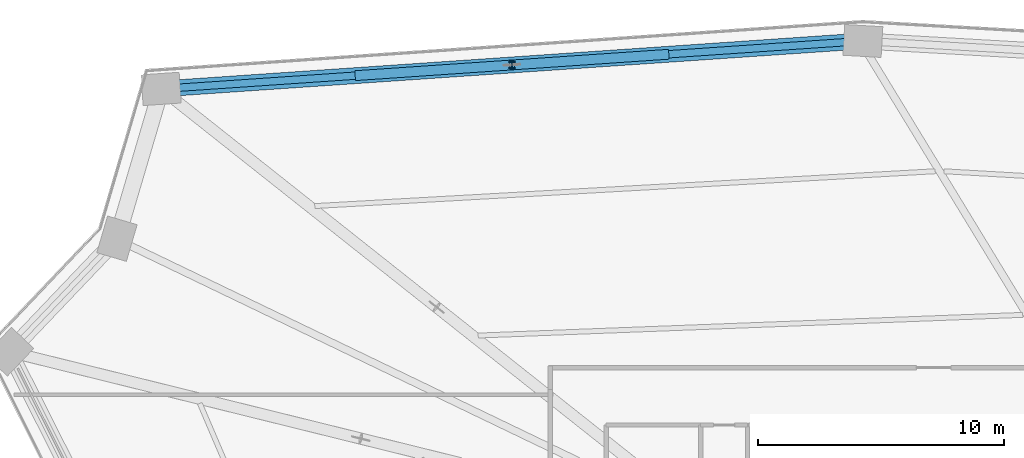
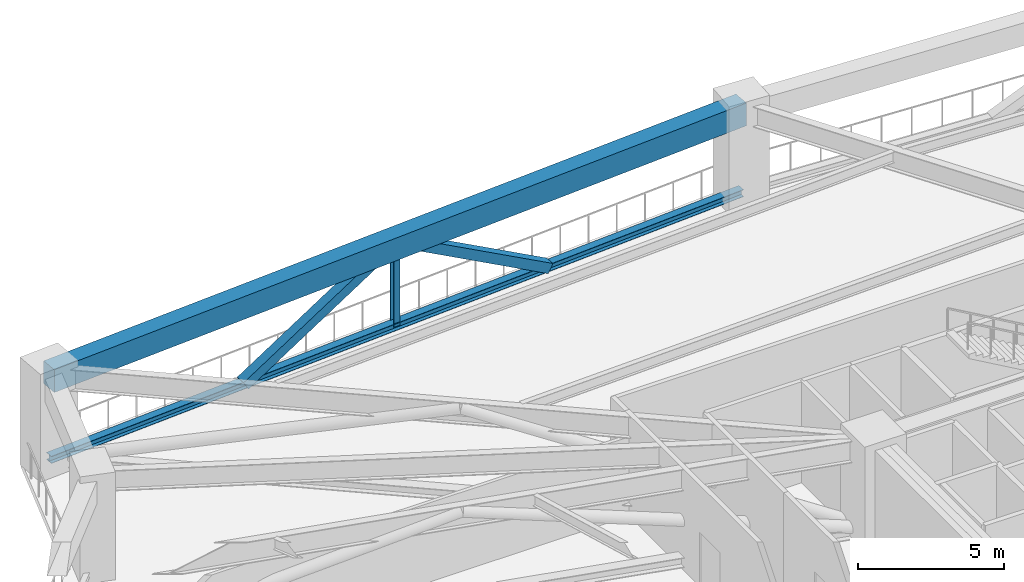
# One storey, part 9 of 25: 4 members, 1 beam.
"""IFC4 building model written with IfcOpenShell, lengths in metres."""

from ifc_helpers import new_model, si_unit, direction, frame, origin, origin_2d, place, context, subcontext, project, spatial, rectangle, hollow_rectangle, i_section, extrude, source, transform, mapped, material, material_profile, profile_set, type_object, element, save


model = new_model("IFC4")

# Units and contexts
model_context = context("Model", 3, precision=1e-05, world=origin(), true_north=direction((0.0, 1.0)))
body_context = subcontext(model_context, "Body", "Model", "MODEL_VIEW")
ifc_project = project(units=[si_unit("LENGTHUNIT", "METRE"), si_unit("AREAUNIT", "SQUARE_METRE"), si_unit("VOLUMEUNIT", "CUBIC_METRE"), si_unit("PLANEANGLEUNIT", "RADIAN"), si_unit("MASSUNIT", "GRAM", prefix="KILO")], contexts=[model_context])

# Site, building, storey
site_placement = place(None, origin())
site = spatial("IfcSite", under=ifc_project, at=site_placement, CompositionType="ELEMENT")
building_placement = place(site_placement, origin())
building = spatial("IfcBuilding", under=site, at=building_placement, Name="Liaohun Quay Tower", CompositionType="ELEMENT")
storey_placement = place(building_placement, frame((0.0, 0.0, 93.0)))
storey = spatial("IfcBuildingStorey", under=building, at=storey_placement, Name="L24", CompositionType="ELEMENT", Elevation=93.0)

# Beam
ifc_material_1 = material(Name="Precast concrete C55", Category="concrete")
ifc_material_profile_1 = material_profile(ifc_material_1, rectangle(XDim=0.64990234375, YDim=0.949951171875, at=origin_2d()), Name="RC650x950")
ifc_profile_set_1 = profile_set([ifc_material_profile_1], Name="Precast concrete C55")
beam_type = type_object("IfcBeamType", Name="BM-SPD-Z1", PredefinedType="SPANDREL", material=ifc_profile_set_1)
shared_shape_1 = source(origin(), body_context, "Body", "SweptSolid", [
    extrude(rectangle(XDim=0.64990234375, YDim=0.949951171875, at=origin_2d()), origin(), (0.0, 0.0, 1.0), 28.553466796875),
])
beam_placement = place(storey_placement, frame((28.636962890625, 79.221923828125, 3.7451171875), z_axis=(0.997674782154, 0.068154449993, 0.0), x_axis=(-0.068154449993, 0.997674782154, 0.0)))
element("IfcBeam", 1, at=beam_placement, inside=storey, type_object=beam_type, Name="L24 Precast Spandrel Beam PC05-PC06", PredefinedType="SPANDREL", context=body_context, shape_type="MappedRepresentation", body=[
    mapped(shared_shape_1, transform((0.0, 0.0, 0.0), x_axis=(1.0, 0.0, 0.0), y_axis=(0.0, 1.0, 0.0), z_axis=(0.0, 0.0, 1.0), scale=1.0)),
])

# Members
ifc_material_2 = material(Name="Steel Q355D", Category="steel")
ifc_material_profile_2 = material_profile(ifc_material_2, i_section(OverallWidth=0.25, OverallDepth=0.25, WebThickness=0.009033203125, FlangeThickness=0.013916015625, at=origin_2d()), Name="HW250x250x9x14")
ifc_profile_set_2 = profile_set([ifc_material_profile_2], Name="Steel Q355D")
member_type_1 = type_object("IfcMemberType", Name="MEM-BLT-PST", PredefinedType="POST", material=ifc_profile_set_2)
shared_shape_2 = source(origin(), body_context, "Body", "SweptSolid", [
    extrude(i_section(OverallWidth=0.25, OverallDepth=0.25, WebThickness=0.009033203125, FlangeThickness=0.013916015625, at=origin_2d()), origin(), (0.0, 0.0, 1.0), 3.56982421875),
])
member_1_placement = place(storey_placement, frame((42.8798828125, 80.195068359375, 0.35009765625), z_axis=(0.0, 0.0, 1.0), x_axis=(1.0, 0.0, 0.0)))
element("IfcMember", 2, at=member_1_placement, inside=storey, type_object=member_type_1, Name="L24 Belt Truss Vertical Post BP-1-03", PredefinedType="POST", context=body_context, shape_type="MappedRepresentation", body=[
    mapped(shared_shape_2, transform((0.0, 0.0, 0.0), x_axis=(1.0, 0.0, 0.0), y_axis=(0.0, 1.0, 0.0), z_axis=(0.0, 0.0, 1.0), scale=1.0)),
])
ifc_material_profile_3 = material_profile(ifc_material_2, i_section(OverallWidth=0.300048828125, OverallDepth=0.300048828125, WebThickness=0.010009765625, FlangeThickness=0.014892578125, at=origin_2d()), Name="HW300x300x10x15")
ifc_profile_set_3 = profile_set([ifc_material_profile_3], Name="Steel Q355D")
member_type_2 = type_object("IfcMemberType", Name="MEM-BLT-CHD", PredefinedType="CHORD", material=ifc_profile_set_3)
shared_shape_3 = source(origin(), body_context, "Body", "SweptSolid", [
    extrude(i_section(OverallWidth=0.300048828125, OverallDepth=0.300048828125, WebThickness=0.010009765625, FlangeThickness=0.014892578125, at=origin_2d()), origin(), (0.0, 0.0, 1.0), 28.553466796875),
])
member_2_placement = place(storey_placement, frame((28.636962890625, 79.221923828125, 0.35009765625), z_axis=(0.997674782154, 0.068154449993, 0.0), x_axis=(-0.068154449993, 0.997674782154, 0.0)))
element("IfcMember", 3, at=member_2_placement, inside=storey, type_object=member_type_2, Name="L24 Belt Truss Bottom Chord BC-1-03", PredefinedType="CHORD", context=body_context, shape_type="MappedRepresentation", body=[
    mapped(shared_shape_3, transform((0.0, 0.0, 0.0), x_axis=(1.0, 0.0, 0.0), y_axis=(0.0, 1.0, 0.0), z_axis=(0.0, 0.0, 1.0), scale=1.0)),
])
ifc_material_3 = material(Name="Steel Q420D", Category="steel")
ifc_material_profile_4 = material_profile(ifc_material_3, hollow_rectangle(XDim=0.39990234375, YDim=0.39990234375, WallThickness=0.02001953125, at=origin_2d()), Name="SHS400x400x20")
ifc_profile_set_4 = profile_set([ifc_material_profile_4], Name="Steel Q420D")
member_type_3 = type_object("IfcMemberType", Name="MEM-BLT-DG1", PredefinedType="BRACE", material=ifc_profile_set_4)
shared_shape_4 = source(origin(), body_context, "Body", "SweptSolid", [
    extrude(hollow_rectangle(XDim=0.39990234375, YDim=0.39990234375, WallThickness=0.02001953125, at=origin_2d()), origin(), (0.0, 0.0, 1.0), 7.224853515625),
])
member_3_placement = place(storey_placement, frame((36.613037109375, 79.76708984375, 0.35009765625), z_axis=(0.867387304877, 0.059236041351, 0.494095491523), x_axis=(-0.068133794317, 0.997676192996, 0.0)))
element("IfcMember", 4, at=member_3_placement, inside=storey, type_object=member_type_3, Name="L24 Belt Truss Diagonal BD-03A", PredefinedType="BRACE", context=body_context, shape_type="MappedRepresentation", body=[
    mapped(shared_shape_4, transform((0.0, 0.0, 0.0), x_axis=(1.0, 0.0, 0.0), y_axis=(0.0, 1.0, 0.0), z_axis=(0.0, 0.0, 1.0), scale=1.0)),
])
shared_shape_5 = source(origin(), body_context, "Body", "SweptSolid", [
    extrude(hollow_rectangle(XDim=0.39990234375, YDim=0.39990234375, WallThickness=0.02001953125, at=origin_2d()), origin(), (0.0, 0.0, 1.0), 7.22607421875),
])
member_4_placement = place(storey_placement, frame((42.8798828125, 80.195068359375, 3.919921875), z_axis=(0.867429135868, 0.059227361345, -0.494023090468), x_axis=(-0.068120586871, 0.997677094878, 0.0)))
element("IfcMember", 5, at=member_4_placement, inside=storey, type_object=member_type_3, Name="L24 Belt Truss Diagonal BD-03B", PredefinedType="BRACE", context=body_context, shape_type="MappedRepresentation", body=[
    mapped(shared_shape_5, transform((0.0, 0.0, 0.0), x_axis=(1.0, 0.0, 0.0), y_axis=(0.0, 1.0, 0.0), z_axis=(0.0, 0.0, 1.0), scale=1.0)),
])

save(model, "model.ifc")
